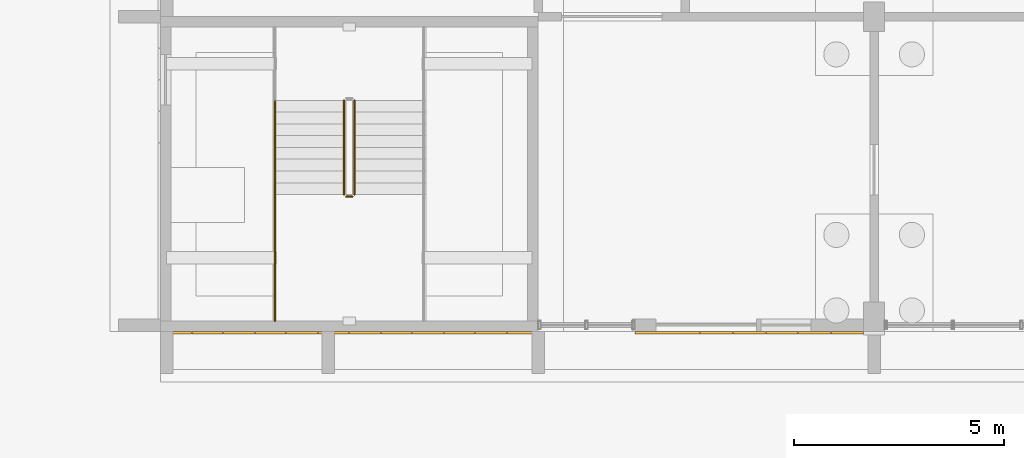
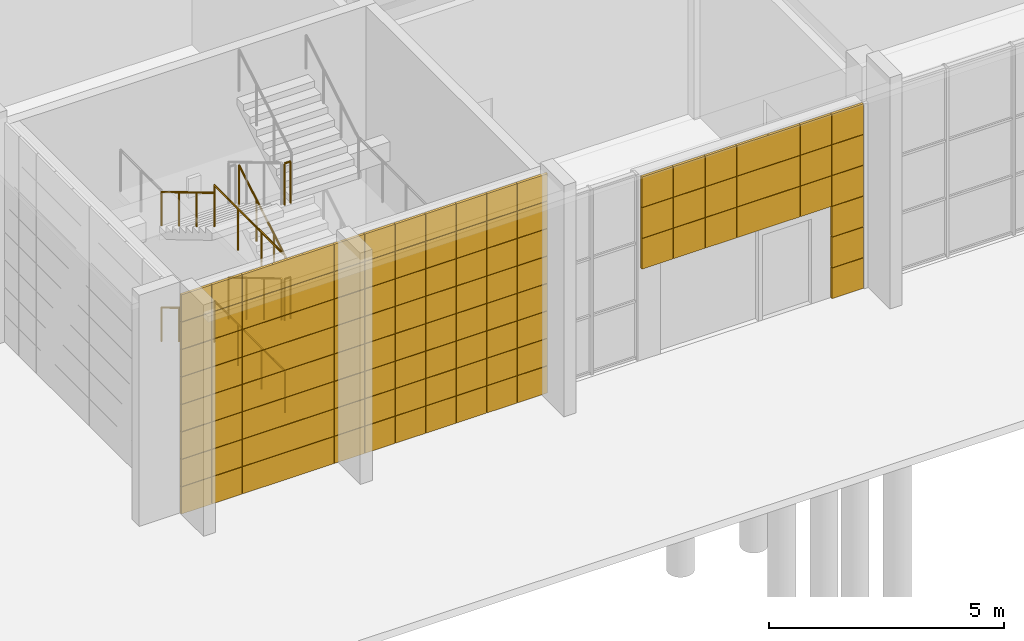
# One storey, part 101 of 125: 8 railings, 1 covering.
"""IFC4 building model written with IfcOpenShell, lengths in metres."""

from ifc_helpers import new_model, si_unit, direction, frame, origin, origin_2d, place, context, subcontext, project, spatial, rectangle, circle, extrude, material, layer, layer_set, type_object, element, save


model = new_model("IFC4")

# Units and contexts
model_context = context("Model", 3, precision=1e-05, world=origin(), true_north=direction((0.0, 1.0)))
body_context = subcontext(model_context, "Body", "Model", "MODEL_VIEW")
ifc_project = project(units=[si_unit("LENGTHUNIT", "METRE"), si_unit("AREAUNIT", "SQUARE_METRE"), si_unit("VOLUMEUNIT", "CUBIC_METRE"), si_unit("PLANEANGLEUNIT", "RADIAN"), si_unit("MASSUNIT", "GRAM", prefix="KILO")], contexts=[model_context])

# Site, building, storey
site_placement = place(None, origin())
site = spatial("IfcSite", under=ifc_project, at=site_placement, CompositionType="ELEMENT")
building_placement = place(site_placement, origin())
building = spatial("IfcBuilding", under=site, at=building_placement, Name="Sun Court Science Centre", CompositionType="ELEMENT")
storey_placement = place(building_placement, origin())
storey = spatial("IfcBuildingStorey", under=building, at=storey_placement, Name="L00", CompositionType="ELEMENT", Elevation=0.0)

# Railings
ifc_material_1 = material(Name="Steel S275", Category="steel")
railing_type_1 = type_object("IfcRailingType", Name="Guard 1100 steel balustrade", PredefinedType="GUARDRAIL", material=ifc_material_1)
railing_1_placement = place(storey_placement, frame((82.375, 11.501953125, 0.166748046875)))
element("IfcRailing", 1, at=railing_1_placement, inside=storey, type_object=railing_type_1, Name="L00 SL1 stair guard 1", PredefinedType="GUARDRAIL", context=body_context, shape_type="SweptSolid", body=[
    extrude(circle(Radius=0.02392578125, at=origin_2d()), frame((0.0, 0.0, 1.076171875), z_axis=(0.0, -0.859305625298, 0.511462454469), x_axis=(1.0, 0.0, 0.0)), (0.0, 0.0, 1.0), 2.606689453125),
    extrude(circle(Radius=0.02099609375, at=origin_2d()), origin(), (0.0, 0.0, 1.0), 1.052001953125),
    extrude(circle(Radius=0.02099609375, at=origin_2d()), frame((0.0, -0.74658203125, 0.4443359375)), (0.0, 0.0, 1.0), 1.052001953125),
    extrude(circle(Radius=0.02099609375, at=origin_2d()), frame((0.0, -1.493408203125, 0.888916015625)), (0.0, 0.0, 1.0), 1.052001953125),
    extrude(circle(Radius=0.02099609375, at=origin_2d()), frame((0.0, -2.239990234375, 1.333251953125)), (0.0, 0.0, 1.0), 1.052001953125),
])
railing_2_placement = place(storey_placement, frame((82.425048828125, 9.2119140625, 1.5)))
element("IfcRailing", 2, at=railing_2_placement, inside=storey, type_object=railing_type_1, Name="L00 SL1 stair guard 2", PredefinedType="GUARDRAIL", context=body_context, shape_type="SweptSolid", body=[
    extrude(circle(Radius=0.02392578125, at=origin_2d()), frame((0.0, 0.0, 1.076171875), z_axis=(1.0, 0.0, 0.0), x_axis=(0.0, 1.0, 0.0)), (0.0, 0.0, 1.0), 0.14990234375),
    extrude(circle(Radius=0.02099609375, at=origin_2d()), origin(), (0.0, 0.0, 1.0), 1.052001953125),
    extrude(circle(Radius=0.02099609375, at=origin_2d()), frame((0.14990234375, 0.0, 0.0)), (0.0, 0.0, 1.0), 1.052001953125),
])
railing_3_placement = place(storey_placement, frame((80.72705078125, 9.261962890625, 1.5)))
element("IfcRailing", 3, at=railing_3_placement, inside=storey, type_object=railing_type_1, Name="L00 SL1 stair guard 3", PredefinedType="GUARDRAIL", context=body_context, shape_type="SweptSolid", body=[
    extrude(circle(Radius=0.02392578125, at=origin_2d()), frame((0.0, 0.0, 1.076171875), z_axis=(0.0, -1.0, 0.0), x_axis=(1.0, 0.0, 0.0)), (0.0, 0.0, 1.0), 3.011962890625),
    extrude(circle(Radius=0.02099609375, at=origin_2d()), origin(), (0.0, 0.0, 1.0), 1.052001953125),
    extrude(circle(Radius=0.02099609375, at=origin_2d()), frame((0.0, -1.00390625, 0.0)), (0.0, 0.0, 1.0), 1.052001953125),
    extrude(circle(Radius=0.02099609375, at=origin_2d()), frame((0.0, -2.008056640625, 0.0)), (0.0, 0.0, 1.0), 1.052001953125),
    extrude(circle(Radius=0.02099609375, at=origin_2d()), frame((0.0, -3.011962890625, 0.0)), (0.0, 0.0, 1.0), 1.052001953125),
])
railing_4_placement = place(storey_placement, frame((82.625, 9.261962890625, 1.666748046875)))
element("IfcRailing", 4, at=railing_4_placement, inside=storey, type_object=railing_type_1, Name="L00 SL1 stair guard 5", PredefinedType="GUARDRAIL", context=body_context, shape_type="SweptSolid", body=[
    extrude(circle(Radius=0.02392578125, at=origin_2d()), frame((0.0, 0.0, 1.076171875), z_axis=(0.0, 0.859305625298, 0.511462454469), x_axis=(-1.0, 0.0, 0.0)), (0.0, 0.0, 1.0), 2.606689453125),
    extrude(circle(Radius=0.02099609375, at=origin_2d()), origin(), (0.0, 0.0, 1.0), 1.052001953125),
    extrude(circle(Radius=0.02099609375, at=origin_2d()), frame((0.0, 0.74658203125, 0.4443359375)), (0.0, 0.0, 1.0), 1.052001953125),
    extrude(circle(Radius=0.02099609375, at=origin_2d()), frame((0.0, 1.493408203125, 0.888916015625)), (0.0, 0.0, 1.0), 1.052001953125),
    extrude(circle(Radius=0.02099609375, at=origin_2d()), frame((0.0, 2.239990234375, 1.333251953125)), (0.0, 0.0, 1.0), 1.052001953125),
])
railing_5_placement = place(storey_placement, frame((82.425048828125, 9.2119140625, 4.5)))
element("IfcRailing", 5, at=railing_5_placement, inside=storey, type_object=railing_type_1, Name="L00 SL1 stair guard 10", PredefinedType="GUARDRAIL", context=body_context, shape_type="SweptSolid", body=[
    extrude(circle(Radius=0.02392578125, at=origin_2d()), frame((0.0, 0.0, 1.076171875), z_axis=(1.0, 0.0, 0.0), x_axis=(0.0, 1.0, 0.0)), (0.0, 0.0, 1.0), 0.14990234375),
    extrude(circle(Radius=0.02099609375, at=origin_2d()), origin(), (0.0, 0.0, 1.0), 1.052001953125),
    extrude(circle(Radius=0.02099609375, at=origin_2d()), frame((0.14990234375, 0.0, 0.0)), (0.0, 0.0, 1.0), 1.052001953125),
])
railing_6_placement = place(storey_placement, frame((80.72705078125, 9.261962890625, 4.5)))
element("IfcRailing", 6, at=railing_6_placement, inside=storey, type_object=railing_type_1, Name="L00 SL1 stair guard 11", PredefinedType="GUARDRAIL", context=body_context, shape_type="SweptSolid", body=[
    extrude(circle(Radius=0.02392578125, at=origin_2d()), frame((0.0, 0.0, 1.076171875), z_axis=(0.0, -1.0, 0.0), x_axis=(1.0, 0.0, 0.0)), (0.0, 0.0, 1.0), 3.011962890625),
    extrude(circle(Radius=0.02099609375, at=origin_2d()), origin(), (0.0, 0.0, 1.0), 1.052001953125),
    extrude(circle(Radius=0.02099609375, at=origin_2d()), frame((0.0, -1.00390625, 0.0)), (0.0, 0.0, 1.0), 1.052001953125),
    extrude(circle(Radius=0.02099609375, at=origin_2d()), frame((0.0, -2.008056640625, 0.0)), (0.0, 0.0, 1.0), 1.052001953125),
    extrude(circle(Radius=0.02099609375, at=origin_2d()), frame((0.0, -3.011962890625, 0.0)), (0.0, 0.0, 1.0), 1.052001953125),
])
ifc_material_2 = material(Name="Stainless steel", Category="steel")
railing_type_2 = type_object("IfcRailingType", Name="Handrail 900 stainless", PredefinedType="HANDRAIL", material=ifc_material_2)
for number, where, name in (
    (7, (80.72705078125, 11.501953125, 0.166748046875), "L00 SL1 stair handrail 1"),
    (8, (80.72705078125, 11.501953125, 3.166748046875), "L00 SL1 stair handrail 3"),
):
    element("IfcRailing", number, at=place(storey_placement, frame(where)), inside=storey, type_object=railing_type_2, Name=name, PredefinedType="HANDRAIL", context=body_context, shape_type="SweptSolid", body=[
        extrude(circle(Radius=0.02392578125, at=origin_2d()), frame((0.0, 0.0, 0.8759765625), z_axis=(0.0, -0.859305625298, 0.511462454469), x_axis=(1.0, 0.0, 0.0)), (0.0, 0.0, 1.0), 2.606689453125),
        extrude(circle(Radius=0.02099609375, at=origin_2d()), origin(), (0.0, 0.0, 1.0), 0.851806640625),
        extrude(circle(Radius=0.02099609375, at=origin_2d()), frame((0.0, -0.74658203125, 0.4443359375)), (0.0, 0.0, 1.0), 0.851806640625),
        extrude(circle(Radius=0.02099609375, at=origin_2d()), frame((0.0, -1.493408203125, 0.888916015625)), (0.0, 0.0, 1.0), 0.851806640625),
        extrude(circle(Radius=0.02099609375, at=origin_2d()), frame((0.0, -2.239990234375, 1.333251953125)), (0.0, 0.0, 1.0), 0.851806640625),
    ])

# Covering
ifc_material_3 = material(Name="Red sandstone", Category="masonry")
ifc_layer = layer(ifc_material_3, 0.06005859375)
ifc_layer_set = layer_set([ifc_layer], Name="Red sandstone")
covering_type = type_object("IfcCoveringType", Name="Red sandstone wall cladding 750", PredefinedType="CLADDING", material=ifc_layer_set)
covering_placement = place(storey_placement, origin())
element("IfcCovering", 9, at=covering_placement, inside=storey, type_object=covering_type, Name="Red sandstone wall cladding south face L00", PredefinedType="CLADDING", context=body_context, shape_type="SweptSolid", body=[
    extrude(rectangle(XDim=0.7685546875, YDim=0.06005859375, at=origin_2d()), frame((94.360595703125, 5.969970703125, 0.0048828125), z_axis=(0.0, 0.0, 1.0), x_axis=(-1.0, 0.0, 0.0)), (0.0, 0.0, 1.0), 0.7900390625),
    extrude(rectangle(XDim=0.7685546875, YDim=0.06005859375, at=origin_2d()), frame((94.360595703125, 5.969970703125, 0.804931640625), z_axis=(0.0, 0.0, 1.0), x_axis=(-1.0, 0.0, 0.0)), (0.0, 0.0, 1.0), 0.7900390625),
    extrude(rectangle(XDim=0.7685546875, YDim=0.06005859375, at=origin_2d()), frame((94.360595703125, 5.969970703125, 1.60498046875), z_axis=(0.0, 0.0, 1.0), x_axis=(-1.0, 0.0, 0.0)), (0.0, 0.0, 1.0), 0.7900390625),
    extrude(rectangle(XDim=0.7685546875, YDim=0.06005859375, at=origin_2d()), frame((94.360595703125, 5.969970703125, 2.405029296875), z_axis=(0.0, 0.0, 1.0), x_axis=(-1.0, 0.0, 0.0)), (0.0, 0.0, 1.0), 0.7900390625),
    extrude(rectangle(XDim=0.7685546875, YDim=0.06005859375, at=origin_2d()), frame((93.58203125, 5.969970703125, 2.405029296875), z_axis=(0.0, 0.0, 1.0), x_axis=(-1.0, 0.0, 0.0)), (0.0, 0.0, 1.0), 0.7900390625),
    extrude(rectangle(XDim=0.7685546875, YDim=0.06005859375, at=origin_2d()), frame((92.803466796875, 5.969970703125, 2.405029296875), z_axis=(0.0, 0.0, 1.0), x_axis=(-1.0, 0.0, 0.0)), (0.0, 0.0, 1.0), 0.7900390625),
    extrude(rectangle(XDim=0.7685546875, YDim=0.06005859375, at=origin_2d()), frame((92.02490234375, 5.969970703125, 2.405029296875), z_axis=(0.0, 0.0, 1.0), x_axis=(-1.0, 0.0, 0.0)), (0.0, 0.0, 1.0), 0.7900390625),
    extrude(rectangle(XDim=0.7685546875, YDim=0.06005859375, at=origin_2d()), frame((91.246337890625, 5.969970703125, 2.405029296875), z_axis=(0.0, 0.0, 1.0), x_axis=(-1.0, 0.0, 0.0)), (0.0, 0.0, 1.0), 0.7900390625),
    extrude(rectangle(XDim=0.7685546875, YDim=0.06005859375, at=origin_2d()), frame((90.4677734375, 5.969970703125, 2.405029296875), z_axis=(0.0, 0.0, 1.0), x_axis=(-1.0, 0.0, 0.0)), (0.0, 0.0, 1.0), 0.7900390625),
    extrude(rectangle(XDim=0.7685546875, YDim=0.06005859375, at=origin_2d()), frame((89.689208984375, 5.969970703125, 2.405029296875), z_axis=(0.0, 0.0, 1.0), x_axis=(-1.0, 0.0, 0.0)), (0.0, 0.0, 1.0), 0.7900390625),
    extrude(rectangle(XDim=0.7685546875, YDim=0.06005859375, at=origin_2d()), frame((94.360595703125, 5.969970703125, 3.205078125), z_axis=(0.0, 0.0, 1.0), x_axis=(-1.0, 0.0, 0.0)), (0.0, 0.0, 1.0), 0.7900390625),
    extrude(rectangle(XDim=0.7685546875, YDim=0.06005859375, at=origin_2d()), frame((93.58203125, 5.969970703125, 3.205078125), z_axis=(0.0, 0.0, 1.0), x_axis=(-1.0, 0.0, 0.0)), (0.0, 0.0, 1.0), 0.7900390625),
    extrude(rectangle(XDim=0.7685546875, YDim=0.06005859375, at=origin_2d()), frame((92.803466796875, 5.969970703125, 3.205078125), z_axis=(0.0, 0.0, 1.0), x_axis=(-1.0, 0.0, 0.0)), (0.0, 0.0, 1.0), 0.7900390625),
    extrude(rectangle(XDim=0.7685546875, YDim=0.06005859375, at=origin_2d()), frame((92.02490234375, 5.969970703125, 3.205078125), z_axis=(0.0, 0.0, 1.0), x_axis=(-1.0, 0.0, 0.0)), (0.0, 0.0, 1.0), 0.7900390625),
    extrude(rectangle(XDim=0.7685546875, YDim=0.06005859375, at=origin_2d()), frame((91.246337890625, 5.969970703125, 3.205078125), z_axis=(0.0, 0.0, 1.0), x_axis=(-1.0, 0.0, 0.0)), (0.0, 0.0, 1.0), 0.7900390625),
    extrude(rectangle(XDim=0.7685546875, YDim=0.06005859375, at=origin_2d()), frame((90.4677734375, 5.969970703125, 3.205078125), z_axis=(0.0, 0.0, 1.0), x_axis=(-1.0, 0.0, 0.0)), (0.0, 0.0, 1.0), 0.7900390625),
    extrude(rectangle(XDim=0.7685546875, YDim=0.06005859375, at=origin_2d()), frame((89.689208984375, 5.969970703125, 3.205078125), z_axis=(0.0, 0.0, 1.0), x_axis=(-1.0, 0.0, 0.0)), (0.0, 0.0, 1.0), 0.7900390625),
    extrude(rectangle(XDim=0.7685546875, YDim=0.06005859375, at=origin_2d()), frame((94.360595703125, 5.969970703125, 4.0048828125), z_axis=(0.0, 0.0, 1.0), x_axis=(-1.0, 0.0, 0.0)), (0.0, 0.0, 1.0), 0.7900390625),
    extrude(rectangle(XDim=0.7685546875, YDim=0.06005859375, at=origin_2d()), frame((93.58203125, 5.969970703125, 4.0048828125), z_axis=(0.0, 0.0, 1.0), x_axis=(-1.0, 0.0, 0.0)), (0.0, 0.0, 1.0), 0.7900390625),
    extrude(rectangle(XDim=0.7685546875, YDim=0.06005859375, at=origin_2d()), frame((92.803466796875, 5.969970703125, 4.0048828125), z_axis=(0.0, 0.0, 1.0), x_axis=(-1.0, 0.0, 0.0)), (0.0, 0.0, 1.0), 0.7900390625),
    extrude(rectangle(XDim=0.7685546875, YDim=0.06005859375, at=origin_2d()), frame((92.02490234375, 5.969970703125, 4.0048828125), z_axis=(0.0, 0.0, 1.0), x_axis=(-1.0, 0.0, 0.0)), (0.0, 0.0, 1.0), 0.7900390625),
    extrude(rectangle(XDim=0.7685546875, YDim=0.06005859375, at=origin_2d()), frame((91.246337890625, 5.969970703125, 4.0048828125), z_axis=(0.0, 0.0, 1.0), x_axis=(-1.0, 0.0, 0.0)), (0.0, 0.0, 1.0), 0.7900390625),
    extrude(rectangle(XDim=0.7685546875, YDim=0.06005859375, at=origin_2d()), frame((90.4677734375, 5.969970703125, 4.0048828125), z_axis=(0.0, 0.0, 1.0), x_axis=(-1.0, 0.0, 0.0)), (0.0, 0.0, 1.0), 0.7900390625),
    extrude(rectangle(XDim=0.7685546875, YDim=0.06005859375, at=origin_2d()), frame((89.689208984375, 5.969970703125, 4.0048828125), z_axis=(0.0, 0.0, 1.0), x_axis=(-1.0, 0.0, 0.0)), (0.0, 0.0, 1.0), 0.7900390625),
    extrude(rectangle(XDim=0.739990234375, YDim=0.06005859375, at=origin_2d()), frame((86.625, 5.969970703125, 0.0048828125), z_axis=(0.0, 0.0, 1.0), x_axis=(-1.0, 0.0, 0.0)), (0.0, 0.0, 1.0), 0.702392578125),
    extrude(rectangle(XDim=0.739990234375, YDim=0.06005859375, at=origin_2d()), frame((85.875, 5.969970703125, 0.0048828125), z_axis=(0.0, 0.0, 1.0), x_axis=(-1.0, 0.0, 0.0)), (0.0, 0.0, 1.0), 0.702392578125),
    extrude(rectangle(XDim=0.739990234375, YDim=0.06005859375, at=origin_2d()), frame((85.125, 5.969970703125, 0.0048828125), z_axis=(0.0, 0.0, 1.0), x_axis=(-1.0, 0.0, 0.0)), (0.0, 0.0, 1.0), 0.702392578125),
    extrude(rectangle(XDim=0.739990234375, YDim=0.06005859375, at=origin_2d()), frame((84.375, 5.969970703125, 0.0048828125), z_axis=(0.0, 0.0, 1.0), x_axis=(-1.0, 0.0, 0.0)), (0.0, 0.0, 1.0), 0.702392578125),
    extrude(rectangle(XDim=0.739990234375, YDim=0.06005859375, at=origin_2d()), frame((83.625, 5.969970703125, 0.0048828125), z_axis=(0.0, 0.0, 1.0), x_axis=(-1.0, 0.0, 0.0)), (0.0, 0.0, 1.0), 0.702392578125),
    extrude(rectangle(XDim=0.739990234375, YDim=0.06005859375, at=origin_2d()), frame((82.875, 5.969970703125, 0.0048828125), z_axis=(0.0, 0.0, 1.0), x_axis=(-1.0, 0.0, 0.0)), (0.0, 0.0, 1.0), 0.702392578125),
    extrude(rectangle(XDim=0.739990234375, YDim=0.06005859375, at=origin_2d()), frame((82.125, 5.969970703125, 0.0048828125), z_axis=(0.0, 0.0, 1.0), x_axis=(-1.0, 0.0, 0.0)), (0.0, 0.0, 1.0), 0.702392578125),
    extrude(rectangle(XDim=0.739990234375, YDim=0.06005859375, at=origin_2d()), frame((81.375, 5.969970703125, 0.0048828125), z_axis=(0.0, 0.0, 1.0), x_axis=(-1.0, 0.0, 0.0)), (0.0, 0.0, 1.0), 0.702392578125),
    extrude(rectangle(XDim=0.739990234375, YDim=0.06005859375, at=origin_2d()), frame((80.625, 5.969970703125, 0.0048828125), z_axis=(0.0, 0.0, 1.0), x_axis=(-1.0, 0.0, 0.0)), (0.0, 0.0, 1.0), 0.702392578125),
    extrude(rectangle(XDim=0.739990234375, YDim=0.06005859375, at=origin_2d()), frame((79.875, 5.969970703125, 0.0048828125), z_axis=(0.0, 0.0, 1.0), x_axis=(-1.0, 0.0, 0.0)), (0.0, 0.0, 1.0), 0.702392578125),
    extrude(rectangle(XDim=0.739990234375, YDim=0.06005859375, at=origin_2d()), frame((79.125, 5.969970703125, 0.0048828125), z_axis=(0.0, 0.0, 1.0), x_axis=(-1.0, 0.0, 0.0)), (0.0, 0.0, 1.0), 0.702392578125),
    extrude(rectangle(XDim=0.739990234375, YDim=0.06005859375, at=origin_2d()), frame((78.375, 5.969970703125, 0.0048828125), z_axis=(0.0, 0.0, 1.0), x_axis=(-1.0, 0.0, 0.0)), (0.0, 0.0, 1.0), 0.702392578125),
    extrude(rectangle(XDim=0.739990234375, YDim=0.06005859375, at=origin_2d()), frame((86.625, 5.969970703125, 0.7177734375), z_axis=(0.0, 0.0, 1.0), x_axis=(-1.0, 0.0, 0.0)), (0.0, 0.0, 1.0), 0.702392578125),
    extrude(rectangle(XDim=0.739990234375, YDim=0.06005859375, at=origin_2d()), frame((85.875, 5.969970703125, 0.7177734375), z_axis=(0.0, 0.0, 1.0), x_axis=(-1.0, 0.0, 0.0)), (0.0, 0.0, 1.0), 0.702392578125),
    extrude(rectangle(XDim=0.739990234375, YDim=0.06005859375, at=origin_2d()), frame((85.125, 5.969970703125, 0.7177734375), z_axis=(0.0, 0.0, 1.0), x_axis=(-1.0, 0.0, 0.0)), (0.0, 0.0, 1.0), 0.702392578125),
    extrude(rectangle(XDim=0.739990234375, YDim=0.06005859375, at=origin_2d()), frame((84.375, 5.969970703125, 0.7177734375), z_axis=(0.0, 0.0, 1.0), x_axis=(-1.0, 0.0, 0.0)), (0.0, 0.0, 1.0), 0.702392578125),
    extrude(rectangle(XDim=0.739990234375, YDim=0.06005859375, at=origin_2d()), frame((83.625, 5.969970703125, 0.7177734375), z_axis=(0.0, 0.0, 1.0), x_axis=(-1.0, 0.0, 0.0)), (0.0, 0.0, 1.0), 0.702392578125),
    extrude(rectangle(XDim=0.739990234375, YDim=0.06005859375, at=origin_2d()), frame((82.875, 5.969970703125, 0.7177734375), z_axis=(0.0, 0.0, 1.0), x_axis=(-1.0, 0.0, 0.0)), (0.0, 0.0, 1.0), 0.702392578125),
    extrude(rectangle(XDim=0.739990234375, YDim=0.06005859375, at=origin_2d()), frame((82.125, 5.969970703125, 0.7177734375), z_axis=(0.0, 0.0, 1.0), x_axis=(-1.0, 0.0, 0.0)), (0.0, 0.0, 1.0), 0.702392578125),
    extrude(rectangle(XDim=0.739990234375, YDim=0.06005859375, at=origin_2d()), frame((81.375, 5.969970703125, 0.7177734375), z_axis=(0.0, 0.0, 1.0), x_axis=(-1.0, 0.0, 0.0)), (0.0, 0.0, 1.0), 0.702392578125),
    extrude(rectangle(XDim=0.739990234375, YDim=0.06005859375, at=origin_2d()), frame((80.625, 5.969970703125, 0.7177734375), z_axis=(0.0, 0.0, 1.0), x_axis=(-1.0, 0.0, 0.0)), (0.0, 0.0, 1.0), 0.702392578125),
    extrude(rectangle(XDim=0.739990234375, YDim=0.06005859375, at=origin_2d()), frame((79.875, 5.969970703125, 0.7177734375), z_axis=(0.0, 0.0, 1.0), x_axis=(-1.0, 0.0, 0.0)), (0.0, 0.0, 1.0), 0.702392578125),
    extrude(rectangle(XDim=0.739990234375, YDim=0.06005859375, at=origin_2d()), frame((79.125, 5.969970703125, 0.7177734375), z_axis=(0.0, 0.0, 1.0), x_axis=(-1.0, 0.0, 0.0)), (0.0, 0.0, 1.0), 0.702392578125),
    extrude(rectangle(XDim=0.739990234375, YDim=0.06005859375, at=origin_2d()), frame((78.375, 5.969970703125, 0.7177734375), z_axis=(0.0, 0.0, 1.0), x_axis=(-1.0, 0.0, 0.0)), (0.0, 0.0, 1.0), 0.702392578125),
    extrude(rectangle(XDim=0.739990234375, YDim=0.06005859375, at=origin_2d()), frame((86.625, 5.969970703125, 1.43017578125), z_axis=(0.0, 0.0, 1.0), x_axis=(-1.0, 0.0, 0.0)), (0.0, 0.0, 1.0), 0.702392578125),
    extrude(rectangle(XDim=0.739990234375, YDim=0.06005859375, at=origin_2d()), frame((85.875, 5.969970703125, 1.43017578125), z_axis=(0.0, 0.0, 1.0), x_axis=(-1.0, 0.0, 0.0)), (0.0, 0.0, 1.0), 0.702392578125),
    extrude(rectangle(XDim=0.739990234375, YDim=0.06005859375, at=origin_2d()), frame((85.125, 5.969970703125, 1.43017578125), z_axis=(0.0, 0.0, 1.0), x_axis=(-1.0, 0.0, 0.0)), (0.0, 0.0, 1.0), 0.702392578125),
    extrude(rectangle(XDim=0.739990234375, YDim=0.06005859375, at=origin_2d()), frame((84.375, 5.969970703125, 1.43017578125), z_axis=(0.0, 0.0, 1.0), x_axis=(-1.0, 0.0, 0.0)), (0.0, 0.0, 1.0), 0.702392578125),
    extrude(rectangle(XDim=0.739990234375, YDim=0.06005859375, at=origin_2d()), frame((83.625, 5.969970703125, 1.43017578125), z_axis=(0.0, 0.0, 1.0), x_axis=(-1.0, 0.0, 0.0)), (0.0, 0.0, 1.0), 0.702392578125),
    extrude(rectangle(XDim=0.739990234375, YDim=0.06005859375, at=origin_2d()), frame((82.875, 5.969970703125, 1.43017578125), z_axis=(0.0, 0.0, 1.0), x_axis=(-1.0, 0.0, 0.0)), (0.0, 0.0, 1.0), 0.702392578125),
    extrude(rectangle(XDim=0.739990234375, YDim=0.06005859375, at=origin_2d()), frame((82.125, 5.969970703125, 1.43017578125), z_axis=(0.0, 0.0, 1.0), x_axis=(-1.0, 0.0, 0.0)), (0.0, 0.0, 1.0), 0.702392578125),
    extrude(rectangle(XDim=0.739990234375, YDim=0.06005859375, at=origin_2d()), frame((81.375, 5.969970703125, 1.43017578125), z_axis=(0.0, 0.0, 1.0), x_axis=(-1.0, 0.0, 0.0)), (0.0, 0.0, 1.0), 0.702392578125),
    extrude(rectangle(XDim=0.739990234375, YDim=0.06005859375, at=origin_2d()), frame((80.625, 5.969970703125, 1.43017578125), z_axis=(0.0, 0.0, 1.0), x_axis=(-1.0, 0.0, 0.0)), (0.0, 0.0, 1.0), 0.702392578125),
    extrude(rectangle(XDim=0.739990234375, YDim=0.06005859375, at=origin_2d()), frame((79.875, 5.969970703125, 1.43017578125), z_axis=(0.0, 0.0, 1.0), x_axis=(-1.0, 0.0, 0.0)), (0.0, 0.0, 1.0), 0.702392578125),
    extrude(rectangle(XDim=0.739990234375, YDim=0.06005859375, at=origin_2d()), frame((79.125, 5.969970703125, 1.43017578125), z_axis=(0.0, 0.0, 1.0), x_axis=(-1.0, 0.0, 0.0)), (0.0, 0.0, 1.0), 0.702392578125),
    extrude(rectangle(XDim=0.739990234375, YDim=0.06005859375, at=origin_2d()), frame((78.375, 5.969970703125, 1.43017578125), z_axis=(0.0, 0.0, 1.0), x_axis=(-1.0, 0.0, 0.0)), (0.0, 0.0, 1.0), 0.702392578125),
    extrude(rectangle(XDim=0.739990234375, YDim=0.06005859375, at=origin_2d()), frame((86.625, 5.969970703125, 2.142578125), z_axis=(0.0, 0.0, 1.0), x_axis=(-1.0, 0.0, 0.0)), (0.0, 0.0, 1.0), 0.702392578125),
    extrude(rectangle(XDim=0.739990234375, YDim=0.06005859375, at=origin_2d()), frame((85.875, 5.969970703125, 2.142578125), z_axis=(0.0, 0.0, 1.0), x_axis=(-1.0, 0.0, 0.0)), (0.0, 0.0, 1.0), 0.702392578125),
    extrude(rectangle(XDim=0.739990234375, YDim=0.06005859375, at=origin_2d()), frame((85.125, 5.969970703125, 2.142578125), z_axis=(0.0, 0.0, 1.0), x_axis=(-1.0, 0.0, 0.0)), (0.0, 0.0, 1.0), 0.702392578125),
    extrude(rectangle(XDim=0.739990234375, YDim=0.06005859375, at=origin_2d()), frame((84.375, 5.969970703125, 2.142578125), z_axis=(0.0, 0.0, 1.0), x_axis=(-1.0, 0.0, 0.0)), (0.0, 0.0, 1.0), 0.702392578125),
    extrude(rectangle(XDim=0.739990234375, YDim=0.06005859375, at=origin_2d()), frame((83.625, 5.969970703125, 2.142578125), z_axis=(0.0, 0.0, 1.0), x_axis=(-1.0, 0.0, 0.0)), (0.0, 0.0, 1.0), 0.702392578125),
    extrude(rectangle(XDim=0.739990234375, YDim=0.06005859375, at=origin_2d()), frame((82.875, 5.969970703125, 2.142578125), z_axis=(0.0, 0.0, 1.0), x_axis=(-1.0, 0.0, 0.0)), (0.0, 0.0, 1.0), 0.702392578125),
    extrude(rectangle(XDim=0.739990234375, YDim=0.06005859375, at=origin_2d()), frame((82.125, 5.969970703125, 2.142578125), z_axis=(0.0, 0.0, 1.0), x_axis=(-1.0, 0.0, 0.0)), (0.0, 0.0, 1.0), 0.702392578125),
    extrude(rectangle(XDim=0.739990234375, YDim=0.06005859375, at=origin_2d()), frame((81.375, 5.969970703125, 2.142578125), z_axis=(0.0, 0.0, 1.0), x_axis=(-1.0, 0.0, 0.0)), (0.0, 0.0, 1.0), 0.702392578125),
    extrude(rectangle(XDim=0.739990234375, YDim=0.06005859375, at=origin_2d()), frame((80.625, 5.969970703125, 2.142578125), z_axis=(0.0, 0.0, 1.0), x_axis=(-1.0, 0.0, 0.0)), (0.0, 0.0, 1.0), 0.702392578125),
    extrude(rectangle(XDim=0.739990234375, YDim=0.06005859375, at=origin_2d()), frame((79.875, 5.969970703125, 2.142578125), z_axis=(0.0, 0.0, 1.0), x_axis=(-1.0, 0.0, 0.0)), (0.0, 0.0, 1.0), 0.702392578125),
    extrude(rectangle(XDim=0.739990234375, YDim=0.06005859375, at=origin_2d()), frame((79.125, 5.969970703125, 2.142578125), z_axis=(0.0, 0.0, 1.0), x_axis=(-1.0, 0.0, 0.0)), (0.0, 0.0, 1.0), 0.702392578125),
    extrude(rectangle(XDim=0.739990234375, YDim=0.06005859375, at=origin_2d()), frame((78.375, 5.969970703125, 2.142578125), z_axis=(0.0, 0.0, 1.0), x_axis=(-1.0, 0.0, 0.0)), (0.0, 0.0, 1.0), 0.702392578125),
    extrude(rectangle(XDim=0.739990234375, YDim=0.06005859375, at=origin_2d()), frame((86.625, 5.969970703125, 2.85498046875), z_axis=(0.0, 0.0, 1.0), x_axis=(-1.0, 0.0, 0.0)), (0.0, 0.0, 1.0), 0.702392578125),
    extrude(rectangle(XDim=0.739990234375, YDim=0.06005859375, at=origin_2d()), frame((85.875, 5.969970703125, 2.85498046875), z_axis=(0.0, 0.0, 1.0), x_axis=(-1.0, 0.0, 0.0)), (0.0, 0.0, 1.0), 0.702392578125),
    extrude(rectangle(XDim=0.739990234375, YDim=0.06005859375, at=origin_2d()), frame((85.125, 5.969970703125, 2.85498046875), z_axis=(0.0, 0.0, 1.0), x_axis=(-1.0, 0.0, 0.0)), (0.0, 0.0, 1.0), 0.702392578125),
    extrude(rectangle(XDim=0.739990234375, YDim=0.06005859375, at=origin_2d()), frame((84.375, 5.969970703125, 2.85498046875), z_axis=(0.0, 0.0, 1.0), x_axis=(-1.0, 0.0, 0.0)), (0.0, 0.0, 1.0), 0.702392578125),
    extrude(rectangle(XDim=0.739990234375, YDim=0.06005859375, at=origin_2d()), frame((83.625, 5.969970703125, 2.85498046875), z_axis=(0.0, 0.0, 1.0), x_axis=(-1.0, 0.0, 0.0)), (0.0, 0.0, 1.0), 0.702392578125),
    extrude(rectangle(XDim=0.739990234375, YDim=0.06005859375, at=origin_2d()), frame((82.875, 5.969970703125, 2.85498046875), z_axis=(0.0, 0.0, 1.0), x_axis=(-1.0, 0.0, 0.0)), (0.0, 0.0, 1.0), 0.702392578125),
    extrude(rectangle(XDim=0.739990234375, YDim=0.06005859375, at=origin_2d()), frame((82.125, 5.969970703125, 2.85498046875), z_axis=(0.0, 0.0, 1.0), x_axis=(-1.0, 0.0, 0.0)), (0.0, 0.0, 1.0), 0.702392578125),
    extrude(rectangle(XDim=0.739990234375, YDim=0.06005859375, at=origin_2d()), frame((81.375, 5.969970703125, 2.85498046875), z_axis=(0.0, 0.0, 1.0), x_axis=(-1.0, 0.0, 0.0)), (0.0, 0.0, 1.0), 0.702392578125),
    extrude(rectangle(XDim=0.739990234375, YDim=0.06005859375, at=origin_2d()), frame((80.625, 5.969970703125, 2.85498046875), z_axis=(0.0, 0.0, 1.0), x_axis=(-1.0, 0.0, 0.0)), (0.0, 0.0, 1.0), 0.702392578125),
    extrude(rectangle(XDim=0.739990234375, YDim=0.06005859375, at=origin_2d()), frame((79.875, 5.969970703125, 2.85498046875), z_axis=(0.0, 0.0, 1.0), x_axis=(-1.0, 0.0, 0.0)), (0.0, 0.0, 1.0), 0.702392578125),
    extrude(rectangle(XDim=0.739990234375, YDim=0.06005859375, at=origin_2d()), frame((79.125, 5.969970703125, 2.85498046875), z_axis=(0.0, 0.0, 1.0), x_axis=(-1.0, 0.0, 0.0)), (0.0, 0.0, 1.0), 0.702392578125),
    extrude(rectangle(XDim=0.739990234375, YDim=0.06005859375, at=origin_2d()), frame((78.375, 5.969970703125, 2.85498046875), z_axis=(0.0, 0.0, 1.0), x_axis=(-1.0, 0.0, 0.0)), (0.0, 0.0, 1.0), 0.702392578125),
    extrude(rectangle(XDim=0.739990234375, YDim=0.06005859375, at=origin_2d()), frame((86.625, 5.969970703125, 3.5673828125), z_axis=(0.0, 0.0, 1.0), x_axis=(-1.0, 0.0, 0.0)), (0.0, 0.0, 1.0), 0.702392578125),
    extrude(rectangle(XDim=0.739990234375, YDim=0.06005859375, at=origin_2d()), frame((85.875, 5.969970703125, 3.5673828125), z_axis=(0.0, 0.0, 1.0), x_axis=(-1.0, 0.0, 0.0)), (0.0, 0.0, 1.0), 0.702392578125),
    extrude(rectangle(XDim=0.739990234375, YDim=0.06005859375, at=origin_2d()), frame((85.125, 5.969970703125, 3.5673828125), z_axis=(0.0, 0.0, 1.0), x_axis=(-1.0, 0.0, 0.0)), (0.0, 0.0, 1.0), 0.702392578125),
    extrude(rectangle(XDim=0.739990234375, YDim=0.06005859375, at=origin_2d()), frame((84.375, 5.969970703125, 3.5673828125), z_axis=(0.0, 0.0, 1.0), x_axis=(-1.0, 0.0, 0.0)), (0.0, 0.0, 1.0), 0.702392578125),
    extrude(rectangle(XDim=0.739990234375, YDim=0.06005859375, at=origin_2d()), frame((83.625, 5.969970703125, 3.5673828125), z_axis=(0.0, 0.0, 1.0), x_axis=(-1.0, 0.0, 0.0)), (0.0, 0.0, 1.0), 0.702392578125),
    extrude(rectangle(XDim=0.739990234375, YDim=0.06005859375, at=origin_2d()), frame((82.875, 5.969970703125, 3.5673828125), z_axis=(0.0, 0.0, 1.0), x_axis=(-1.0, 0.0, 0.0)), (0.0, 0.0, 1.0), 0.702392578125),
    extrude(rectangle(XDim=0.739990234375, YDim=0.06005859375, at=origin_2d()), frame((82.125, 5.969970703125, 3.5673828125), z_axis=(0.0, 0.0, 1.0), x_axis=(-1.0, 0.0, 0.0)), (0.0, 0.0, 1.0), 0.702392578125),
    extrude(rectangle(XDim=0.739990234375, YDim=0.06005859375, at=origin_2d()), frame((81.375, 5.969970703125, 3.5673828125), z_axis=(0.0, 0.0, 1.0), x_axis=(-1.0, 0.0, 0.0)), (0.0, 0.0, 1.0), 0.702392578125),
    extrude(rectangle(XDim=0.739990234375, YDim=0.06005859375, at=origin_2d()), frame((80.625, 5.969970703125, 3.5673828125), z_axis=(0.0, 0.0, 1.0), x_axis=(-1.0, 0.0, 0.0)), (0.0, 0.0, 1.0), 0.702392578125),
    extrude(rectangle(XDim=0.739990234375, YDim=0.06005859375, at=origin_2d()), frame((79.875, 5.969970703125, 3.5673828125), z_axis=(0.0, 0.0, 1.0), x_axis=(-1.0, 0.0, 0.0)), (0.0, 0.0, 1.0), 0.702392578125),
    extrude(rectangle(XDim=0.739990234375, YDim=0.06005859375, at=origin_2d()), frame((79.125, 5.969970703125, 3.5673828125), z_axis=(0.0, 0.0, 1.0), x_axis=(-1.0, 0.0, 0.0)), (0.0, 0.0, 1.0), 0.702392578125),
    extrude(rectangle(XDim=0.739990234375, YDim=0.06005859375, at=origin_2d()), frame((78.375, 5.969970703125, 3.5673828125), z_axis=(0.0, 0.0, 1.0), x_axis=(-1.0, 0.0, 0.0)), (0.0, 0.0, 1.0), 0.702392578125),
    extrude(rectangle(XDim=0.739990234375, YDim=0.06005859375, at=origin_2d()), frame((86.625, 5.969970703125, 4.2802734375), z_axis=(0.0, 0.0, 1.0), x_axis=(-1.0, 0.0, 0.0)), (0.0, 0.0, 1.0), 0.702392578125),
    extrude(rectangle(XDim=0.739990234375, YDim=0.06005859375, at=origin_2d()), frame((85.875, 5.969970703125, 4.2802734375), z_axis=(0.0, 0.0, 1.0), x_axis=(-1.0, 0.0, 0.0)), (0.0, 0.0, 1.0), 0.702392578125),
    extrude(rectangle(XDim=0.739990234375, YDim=0.06005859375, at=origin_2d()), frame((85.125, 5.969970703125, 4.2802734375), z_axis=(0.0, 0.0, 1.0), x_axis=(-1.0, 0.0, 0.0)), (0.0, 0.0, 1.0), 0.702392578125),
    extrude(rectangle(XDim=0.739990234375, YDim=0.06005859375, at=origin_2d()), frame((84.375, 5.969970703125, 4.2802734375), z_axis=(0.0, 0.0, 1.0), x_axis=(-1.0, 0.0, 0.0)), (0.0, 0.0, 1.0), 0.702392578125),
    extrude(rectangle(XDim=0.739990234375, YDim=0.06005859375, at=origin_2d()), frame((83.625, 5.969970703125, 4.2802734375), z_axis=(0.0, 0.0, 1.0), x_axis=(-1.0, 0.0, 0.0)), (0.0, 0.0, 1.0), 0.702392578125),
    extrude(rectangle(XDim=0.739990234375, YDim=0.06005859375, at=origin_2d()), frame((82.875, 5.969970703125, 4.2802734375), z_axis=(0.0, 0.0, 1.0), x_axis=(-1.0, 0.0, 0.0)), (0.0, 0.0, 1.0), 0.702392578125),
    extrude(rectangle(XDim=0.739990234375, YDim=0.06005859375, at=origin_2d()), frame((82.125, 5.969970703125, 4.2802734375), z_axis=(0.0, 0.0, 1.0), x_axis=(-1.0, 0.0, 0.0)), (0.0, 0.0, 1.0), 0.702392578125),
    extrude(rectangle(XDim=0.739990234375, YDim=0.06005859375, at=origin_2d()), frame((81.375, 5.969970703125, 4.2802734375), z_axis=(0.0, 0.0, 1.0), x_axis=(-1.0, 0.0, 0.0)), (0.0, 0.0, 1.0), 0.702392578125),
    extrude(rectangle(XDim=0.739990234375, YDim=0.06005859375, at=origin_2d()), frame((80.625, 5.969970703125, 4.2802734375), z_axis=(0.0, 0.0, 1.0), x_axis=(-1.0, 0.0, 0.0)), (0.0, 0.0, 1.0), 0.702392578125),
    extrude(rectangle(XDim=0.739990234375, YDim=0.06005859375, at=origin_2d()), frame((79.875, 5.969970703125, 4.2802734375), z_axis=(0.0, 0.0, 1.0), x_axis=(-1.0, 0.0, 0.0)), (0.0, 0.0, 1.0), 0.702392578125),
    extrude(rectangle(XDim=0.739990234375, YDim=0.06005859375, at=origin_2d()), frame((79.125, 5.969970703125, 4.2802734375), z_axis=(0.0, 0.0, 1.0), x_axis=(-1.0, 0.0, 0.0)), (0.0, 0.0, 1.0), 0.702392578125),
    extrude(rectangle(XDim=0.739990234375, YDim=0.06005859375, at=origin_2d()), frame((78.375, 5.969970703125, 4.2802734375), z_axis=(0.0, 0.0, 1.0), x_axis=(-1.0, 0.0, 0.0)), (0.0, 0.0, 1.0), 0.702392578125),
    extrude(rectangle(XDim=0.739990234375, YDim=0.06005859375, at=origin_2d()), frame((86.625, 5.969970703125, 4.99267578125), z_axis=(0.0, 0.0, 1.0), x_axis=(-1.0, 0.0, 0.0)), (0.0, 0.0, 1.0), 0.702392578125),
    extrude(rectangle(XDim=0.739990234375, YDim=0.06005859375, at=origin_2d()), frame((85.875, 5.969970703125, 4.99267578125), z_axis=(0.0, 0.0, 1.0), x_axis=(-1.0, 0.0, 0.0)), (0.0, 0.0, 1.0), 0.702392578125),
    extrude(rectangle(XDim=0.739990234375, YDim=0.06005859375, at=origin_2d()), frame((85.125, 5.969970703125, 4.99267578125), z_axis=(0.0, 0.0, 1.0), x_axis=(-1.0, 0.0, 0.0)), (0.0, 0.0, 1.0), 0.702392578125),
    extrude(rectangle(XDim=0.739990234375, YDim=0.06005859375, at=origin_2d()), frame((84.375, 5.969970703125, 4.99267578125), z_axis=(0.0, 0.0, 1.0), x_axis=(-1.0, 0.0, 0.0)), (0.0, 0.0, 1.0), 0.702392578125),
    extrude(rectangle(XDim=0.739990234375, YDim=0.06005859375, at=origin_2d()), frame((83.625, 5.969970703125, 4.99267578125), z_axis=(0.0, 0.0, 1.0), x_axis=(-1.0, 0.0, 0.0)), (0.0, 0.0, 1.0), 0.702392578125),
    extrude(rectangle(XDim=0.739990234375, YDim=0.06005859375, at=origin_2d()), frame((82.875, 5.969970703125, 4.99267578125), z_axis=(0.0, 0.0, 1.0), x_axis=(-1.0, 0.0, 0.0)), (0.0, 0.0, 1.0), 0.702392578125),
    extrude(rectangle(XDim=0.739990234375, YDim=0.06005859375, at=origin_2d()), frame((82.125, 5.969970703125, 4.99267578125), z_axis=(0.0, 0.0, 1.0), x_axis=(-1.0, 0.0, 0.0)), (0.0, 0.0, 1.0), 0.702392578125),
    extrude(rectangle(XDim=0.739990234375, YDim=0.06005859375, at=origin_2d()), frame((81.375, 5.969970703125, 4.99267578125), z_axis=(0.0, 0.0, 1.0), x_axis=(-1.0, 0.0, 0.0)), (0.0, 0.0, 1.0), 0.702392578125),
    extrude(rectangle(XDim=0.739990234375, YDim=0.06005859375, at=origin_2d()), frame((80.625, 5.969970703125, 4.99267578125), z_axis=(0.0, 0.0, 1.0), x_axis=(-1.0, 0.0, 0.0)), (0.0, 0.0, 1.0), 0.702392578125),
    extrude(rectangle(XDim=0.739990234375, YDim=0.06005859375, at=origin_2d()), frame((79.875, 5.969970703125, 4.99267578125), z_axis=(0.0, 0.0, 1.0), x_axis=(-1.0, 0.0, 0.0)), (0.0, 0.0, 1.0), 0.702392578125),
    extrude(rectangle(XDim=0.739990234375, YDim=0.06005859375, at=origin_2d()), frame((79.125, 5.969970703125, 4.99267578125), z_axis=(0.0, 0.0, 1.0), x_axis=(-1.0, 0.0, 0.0)), (0.0, 0.0, 1.0), 0.702392578125),
    extrude(rectangle(XDim=0.739990234375, YDim=0.06005859375, at=origin_2d()), frame((78.375, 5.969970703125, 4.99267578125), z_axis=(0.0, 0.0, 1.0), x_axis=(-1.0, 0.0, 0.0)), (0.0, 0.0, 1.0), 0.702392578125),
])

save(model, "model.ifc")
